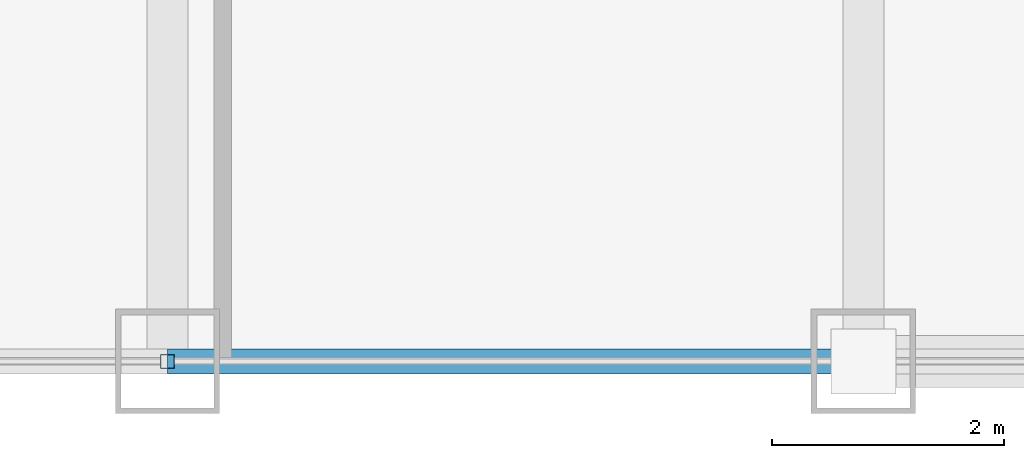
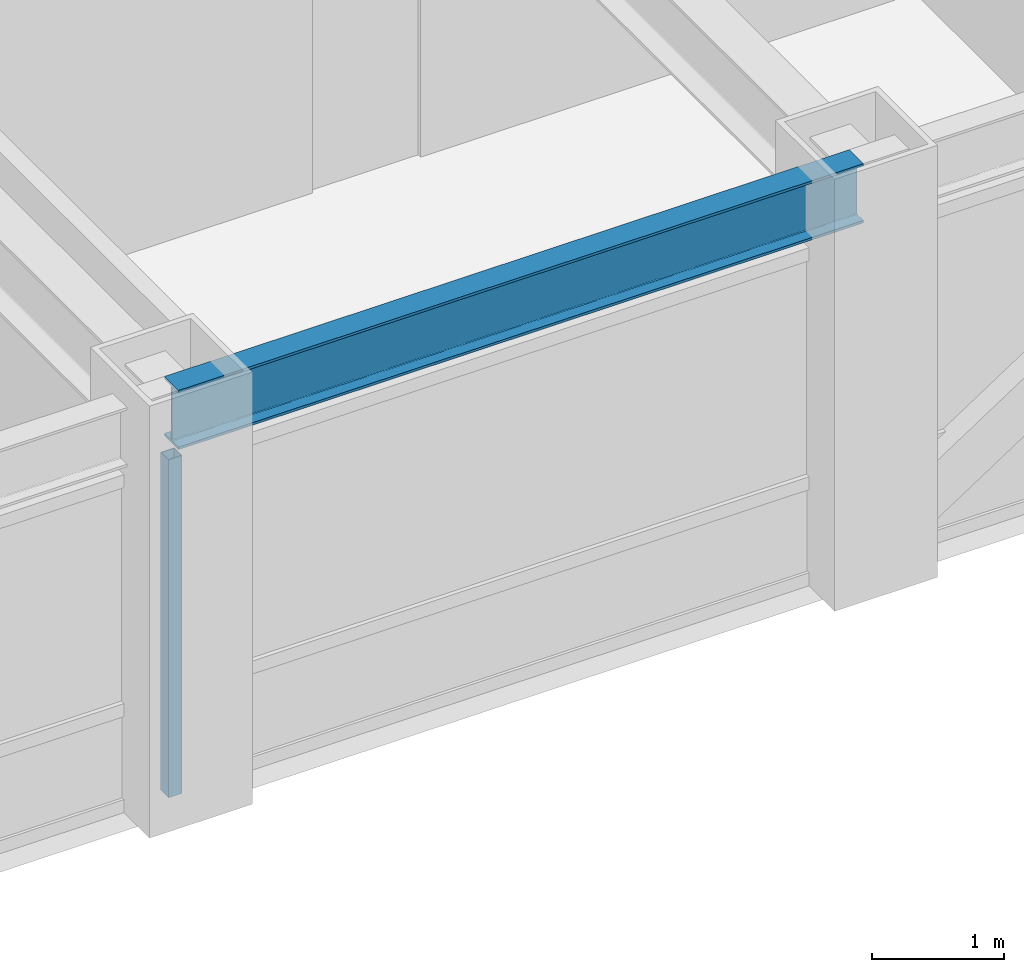
# One storey, part 4 of 22: 1 beam, 1 member, 1 element without a shape of its own.
"""IFC4 building model written with IfcOpenShell, lengths in metres."""

import ifcopenshell
import ifcopenshell.guid

model = None  # the IFC model being written
_history = None  # IfcOwnerHistory: only IFC2X3 demands one
_inside = {}  # id of a spatial element -> (the spatial element, [elements in it])
_under = {}  # id of a project, library or spatial element -> (it, [spatial elements below it])
_declared = {}  # id of a project -> (the project, [libraries it declares])
_typed = {}  # id of a type object -> (the type object, [elements of that type])
_made_of = {}  # id of a material, layer set ... -> (it, [elements and type objects made of it])


def new_model(schema):
    """Start an empty IFC model of exactly this schema.

    Asked for "IFC4X3", IfcOpenShell would pick the latest addendum, in which some entities
    have other attributes; the version numbers below select the first issue.
    IFC2X3 requires an IfcOwnerHistory on every rooted entity: one is made here for all.
    """
    global model, _history
    if schema == "IFC4X3":
        model = ifcopenshell.file(schema_version=(4, 3, 0, 0))
    else:
        model = ifcopenshell.file(schema=schema)
    _inside.clear()
    _under.clear()
    _declared.clear()
    _typed.clear()
    _made_of.clear()
    _history = None
    if model.schema == "IFC2X3":
        org = make("IfcOrganization", Name="unknown")
        user = make(
            "IfcPersonAndOrganization",
            ThePerson=make("IfcPerson", FamilyName="unknown"),
            TheOrganization=org,
        )
        app = make(
            "IfcApplication",
            ApplicationDeveloper=org,
            Version="unknown",
            ApplicationFullName="unknown",
            ApplicationIdentifier="unknown",
        )
        _history = make(
            "IfcOwnerHistory",
            OwningUser=user,
            OwningApplication=app,
            ChangeAction="ADDED",
            CreationDate=0,
        )
    return model


def make(cls, **values):
    """One entity of the class cls with the attributes given. An attribute that is None is left unset."""
    return model.create_entity(
        cls, **{name: value for name, value in values.items() if value is not None}
    )


def rooted(cls, **values):
    """An entity with a GlobalId (a new one), such as an element, a storey or a relation."""
    return make(cls, GlobalId=ifcopenshell.guid.new(), OwnerHistory=_history, **values)


def si_unit(unit_type, name, prefix=None):
    """IfcSIUnit, for example si_unit("LENGTHUNIT", "METRE", prefix="MILLI")."""
    return make("IfcSIUnit", UnitType=unit_type, Prefix=prefix, Name=name)


def assignment(units):
    """IfcUnitAssignment: the units of a project."""
    return None if units is None else make("IfcUnitAssignment", Units=units)


def point(xyz):
    """IfcCartesianPoint."""
    return None if xyz is None else make("IfcCartesianPoint", Coordinates=xyz)


def direction(xyz):
    """IfcDirection."""
    return None if xyz is None else make("IfcDirection", DirectionRatios=xyz)


def frame(location, z_axis=None, x_axis=None):
    """IfcAxis2Placement3D, a coordinate frame: its origin and axes. An axis left out is left unset."""
    return make(
        "IfcAxis2Placement3D",
        Location=point(location),
        Axis=direction(z_axis),
        RefDirection=direction(x_axis),
    )


def frame_2d(location, x_axis=None):
    """IfcAxis2Placement2D, a coordinate frame in the plane: its origin and x axis."""
    return make(
        "IfcAxis2Placement2D", Location=point(location), RefDirection=direction(x_axis)
    )


def origin():
    """The frame at (0, 0, 0) with its axes left unset."""
    return frame((0.0, 0.0, 0.0))


def origin_2d():
    """The frame at (0, 0) in the plane with its x axis left unset."""
    return frame_2d((0.0, 0.0))


def place(relative_to, where):
    """IfcLocalPlacement: puts the frame where relative to a parent placement (None: the world)."""
    return make(
        "IfcLocalPlacement", PlacementRelTo=relative_to, RelativePlacement=where
    )


def context(
    kind, dimensions, precision=None, world=None, true_north=None, identifier=None
):
    """IfcGeometricRepresentationContext, for example the 3D "Model" context."""
    return make(
        "IfcGeometricRepresentationContext",
        ContextIdentifier=identifier,
        ContextType=kind,
        CoordinateSpaceDimension=dimensions,
        Precision=precision,
        WorldCoordinateSystem=world,
        TrueNorth=true_north,
    )


def subcontext(parent, identifier, kind, view, scale=None):
    """IfcGeometricRepresentationSubContext, for example "Body" below "Model"."""
    return make(
        "IfcGeometricRepresentationSubContext",
        ContextIdentifier=identifier,
        ContextType=kind,
        ParentContext=parent,
        TargetScale=scale,
        TargetView=view,
    )


def project(units=None, contexts=None):
    """IfcProject with its units and contexts."""
    return rooted(
        "IfcProject",
        Name="project",
        RepresentationContexts=contexts,
        UnitsInContext=assignment(units),
    )


def spatial(cls, under=None, at=None, **own):
    """A site, building, storey or space (cls), placed at a placement, below another one or the project."""
    s = rooted(cls, ObjectPlacement=at, **own)
    if under is not None:
        _under.setdefault(under.id(), (under, []))[1].append(s)
    return s


def profile(cls, at=None, kind="AREA", **sizes):
    """A parametric profile (cls). Its sizes go by their IFC names, for example OverallWidth=200.0."""
    return make(cls, ProfileType=kind, Position=at, **sizes)


def hollow_rectangle(**sizes):
    """IfcRectangleHollowProfileDef."""
    return profile("IfcRectangleHollowProfileDef", **sizes)


def i_section(**sizes):
    """IfcIShapeProfileDef."""
    return profile("IfcIShapeProfileDef", **sizes)


def extrude(swept, where, along, depth):
    """IfcExtrudedAreaSolid: the profile swept, set in the frame where, extruded along a direction by depth."""
    return make(
        "IfcExtrudedAreaSolid",
        SweptArea=swept,
        Position=where,
        ExtrudedDirection=direction(along),
        Depth=depth,
    )


def shape(context_of_items, identifier, shape_type, items):
    """IfcShapeRepresentation: the items that make up one representation, for example the "Body"."""
    return make(
        "IfcShapeRepresentation",
        ContextOfItems=context_of_items,
        RepresentationIdentifier=identifier,
        RepresentationType=shape_type,
        Items=items,
    )


def source(mapping_origin, context_of_items, identifier, shape_type, items):
    """IfcRepresentationMap: a shape defined once, which mapped items show again and again."""
    return make(
        "IfcRepresentationMap",
        MappingOrigin=mapping_origin,
        MappedRepresentation=shape(context_of_items, identifier, shape_type, items),
    )


def transform(
    local_origin,
    x_axis=None,
    y_axis=None,
    z_axis=None,
    scale=None,
    scale2=None,
    scale3=None,
    uniform=True,
):
    """IfcCartesianTransformationOperator3D, or its non-uniform kind. x_axis, y_axis, z_axis: its Axis1, 2, 3."""
    if uniform:
        return make(
            "IfcCartesianTransformationOperator3D",
            Axis1=direction(x_axis),
            Axis2=direction(y_axis),
            LocalOrigin=point(local_origin),
            Scale=scale,
            Axis3=direction(z_axis),
        )
    return make(
        "IfcCartesianTransformationOperator3DnonUniform",
        Axis1=direction(x_axis),
        Axis2=direction(y_axis),
        LocalOrigin=point(local_origin),
        Scale=scale,
        Axis3=direction(z_axis),
        Scale2=scale2,
        Scale3=scale3,
    )


def mapped(mapping_source, mapping_target):
    """IfcMappedItem: shows the shape of a source again, moved by a transform."""
    return make(
        "IfcMappedItem", MappingSource=mapping_source, MappingTarget=mapping_target
    )


def material(Name=None, Category=None):
    """IfcMaterial."""
    return make("IfcMaterial", Name=Name, Category=Category)


def material_profile(
    of_material, cross_section, Name=None, Category=None, Priority=None
):
    """IfcMaterialProfile: a cross section and its material."""
    return make(
        "IfcMaterialProfile",
        Name=Name,
        Material=of_material,
        Profile=cross_section,
        Priority=Priority,
        Category=Category,
    )


def profile_set(profiles, Name=None, composite=None):
    """IfcMaterialProfileSet."""
    return make(
        "IfcMaterialProfileSet",
        Name=Name,
        MaterialProfiles=profiles,
        CompositeProfile=composite,
    )


def made_of(thing, what):
    """Note that an element or type object is made of a material, layer set ...; save() writes the relation."""
    if what is not None:
        _made_of.setdefault(what.id(), (what, []))[1].append(thing)
    return thing


def type_object(cls, material=None, **own):
    """A type object (cls), such as IfcWallType, which elements share."""
    return made_of(rooted(cls, **own), material)


def element(
    cls,
    number,
    at=None,
    inside=None,
    cuts=None,
    type_object=None,
    material=None,
    context=None,
    identifier="Body",
    shape_type=None,
    held_by="IfcProductDefinitionShape",
    body=None,
    shapes=None,
    **own,
):
    """One element of the class cls, such as IfcWall. Its Tag is "e" and its number.

    at: its placement. inside: the storey or other place that contains it. cuts: it is an
    opening in that element (IfcRelVoidsElement). A single representation is given by context,
    identifier, shape_type and body (its items); several are given by shapes. held_by: the class
    of the entity that holds the representations. save() writes the other relations.
    """
    e = rooted(cls, Tag="e%d" % number, ObjectPlacement=at, **own)
    if body is not None:
        shapes = [shape(context, identifier, shape_type, body)]
    if shapes is not None:
        e.Representation = make(held_by, Representations=shapes)
    if inside is not None:
        _inside.setdefault(inside.id(), (inside, []))[1].append(e)
    if cuts is not None:
        rooted(
            "IfcRelVoidsElement", RelatingBuildingElement=cuts, RelatedOpeningElement=e
        )
    if type_object is not None:
        _typed.setdefault(type_object.id(), (type_object, []))[1].append(e)
    return made_of(e, material)


def aggregate(whole, parts):
    """IfcRelAggregates: a whole, such as a stair, and the parts it consists of."""
    return rooted("IfcRelAggregates", RelatingObject=whole, RelatedObjects=parts)


def save(model, path):
    """Write the relations noted so far, then the file.

    IfcRelAggregates (storeys below a building ...), IfcRelContainedInSpatialStructure (elements
    in a storey), IfcRelDefinesByType, IfcRelAssociatesMaterial and IfcRelDeclares: one each for
    every whole, place, type object, material and project.
    """
    for whole, parts in _under.values():
        aggregate(whole, parts)
    for where, things in _inside.values():
        rooted(
            "IfcRelContainedInSpatialStructure",
            RelatedElements=things,
            RelatingStructure=where,
        )
    for kind, things in _typed.values():
        rooted("IfcRelDefinesByType", RelatedObjects=things, RelatingType=kind)
    for what, things in _made_of.values():
        rooted("IfcRelAssociatesMaterial", RelatedObjects=things, RelatingMaterial=what)
    for by, libraries in _declared.values():
        rooted("IfcRelDeclares", RelatingContext=by, RelatedDefinitions=libraries)
    model.write(path)


model = new_model("IFC4")

# Units and contexts
model_context = context("Model", 3, precision=1e-05, world=origin(), true_north=direction((0.0, 1.0)))
body_context = subcontext(model_context, "Body", "Model", "MODEL_VIEW")
ifc_project = project(units=[si_unit("LENGTHUNIT", "METRE"), si_unit("AREAUNIT", "SQUARE_METRE"), si_unit("VOLUMEUNIT", "CUBIC_METRE"), si_unit("PLANEANGLEUNIT", "RADIAN"), si_unit("MASSUNIT", "GRAM", prefix="KILO")], contexts=[model_context])

# Site, building, storey
site_placement = place(None, origin())
site = spatial("IfcSite", under=ifc_project, at=site_placement, CompositionType="ELEMENT")
building_placement = place(site_placement, origin())
building = spatial("IfcBuilding", under=site, at=building_placement, Name="Khorayat Bourse Tower", CompositionType="ELEMENT")
storey_placement = place(building_placement, frame((0.0, 0.0, 297.5)))
storey = spatial("IfcBuildingStorey", under=building, at=storey_placement, Name="L70", CompositionType="ELEMENT", Elevation=297.5)

# Beam
ifc_material_1 = material(Name="Steel ASTM A992 Grade 50", Category="steel")
ifc_material_profile_1 = material_profile(ifc_material_1, i_section(OverallWidth=0.214111328125, OverallDepth=0.549072265625, WebThickness=0.0146484375, FlangeThickness=0.023681640625, FilletRadius=0.013916015625, at=origin_2d()), Name="W530X138")
ifc_profile_set_1 = profile_set([ifc_material_profile_1], Name="Steel ASTM A992 Grade 50")
beam_type = type_object("IfcBeamType", Name="BM-SPAN-530", PredefinedType="SPANDREL", material=ifc_profile_set_1)
shared_shape_1 = source(origin(), body_context, "Body", "SweptSolid", [
    extrude(i_section(OverallWidth=0.214111328125, OverallDepth=0.549072265625, WebThickness=0.0146484375, FlangeThickness=0.023681640625, FilletRadius=0.013916015625, at=origin_2d()), origin(), (0.0, 0.0, 1.0), 6.0),
])
beam_placement = place(storey_placement, frame((0.0, -28.0, 3.505615234375), z_axis=(1.0, 0.0, 0.0), x_axis=(0.0, 1.0, 0.0)))
element("IfcBeam", 1, at=beam_placement, inside=storey, type_object=beam_type, Name="L70 BM-SPAN-530 BM-L70-SPN-028", PredefinedType="SPANDREL", context=body_context, shape_type="MappedRepresentation", body=[
    mapped(shared_shape_1, transform((0.0, 0.0, 0.0), scale=1.0)),
])

# Curtain wall, member
ifc_material_2 = material(Name="Aluminium EN AW-6063 T6", Category="aluminium")
curtain_wall_type = type_object("IfcCurtainWallType", Name="CW-SYS-04", PredefinedType="NOTDEFINED", material=ifc_material_2)
curtain_wall_placement = place(storey_placement, origin())
curtain_wall = element("IfcCurtainWall", 2, at=curtain_wall_placement, inside=storey, type_object=curtain_wall_type, Name="L70 Curtain Wall CW-L70-S1", PredefinedType="NOTDEFINED")
ifc_material_profile_2 = material_profile(ifc_material_2, hollow_rectangle(XDim=0.1201171875, YDim=0.1201171875, WallThickness=0.0048828125, at=origin_2d()), Name="ALU 120x120x5")
ifc_profile_set_2 = profile_set([ifc_material_profile_2], Name="Aluminium EN AW-6063 T6")
member_type = type_object("IfcMemberType", Name="CWM-VERT-120", PredefinedType="MULLION", material=ifc_profile_set_2)
shared_shape_2 = source(origin(), body_context, "Body", "SweptSolid", [
    extrude(hollow_rectangle(XDim=0.1201171875, YDim=0.1201171875, WallThickness=0.0048828125, at=origin_2d()), origin(), (0.0, 0.0, 1.0), 3.1298828125),
])
member_placement = place(storey_placement, frame((0.0, -28.0, 0.0), z_axis=(0.0, 0.0, 1.0), x_axis=(0.0, 1.0, 0.0)))
member = element("IfcMember", 3, at=member_placement, type_object=member_type, Name="CW-L70-S1 Vertical Mullion 2", PredefinedType="MULLION", context=body_context, shape_type="MappedRepresentation", body=[
    mapped(shared_shape_2, transform((0.0, 0.0, 0.0), scale=1.0)),
])
aggregate(curtain_wall, [member])

save(model, "model.ifc")
